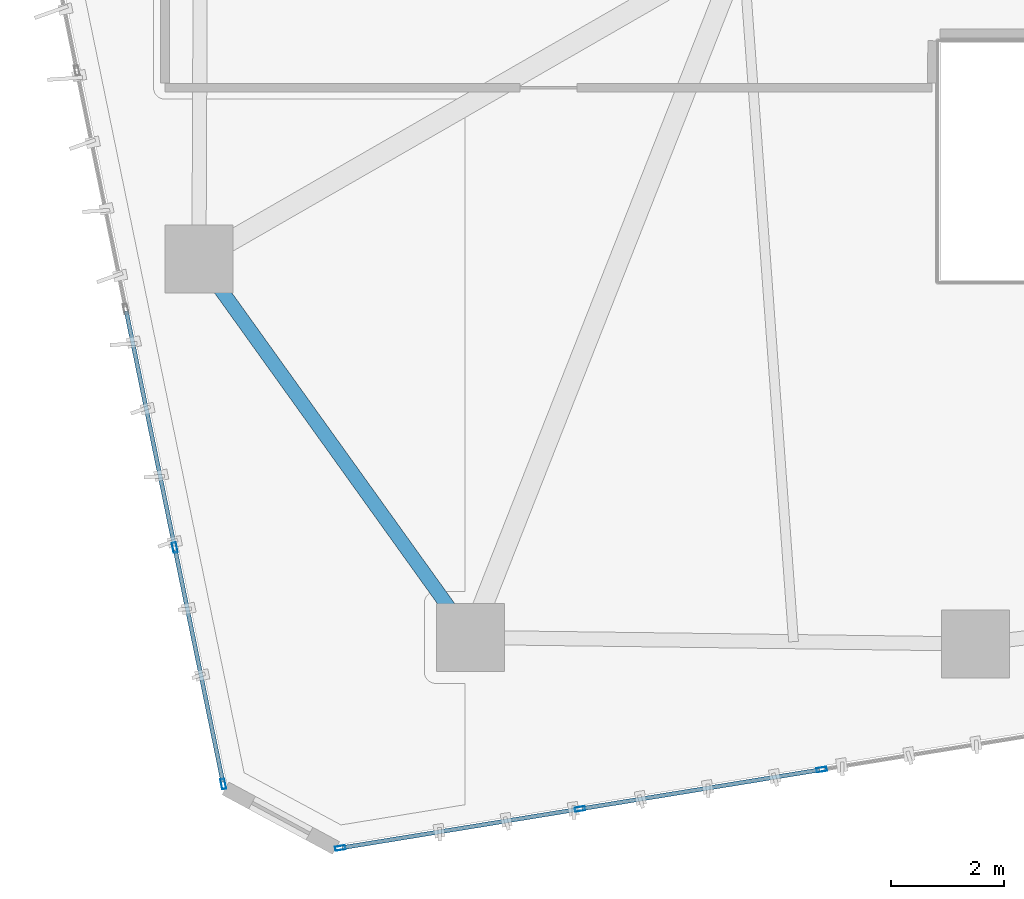
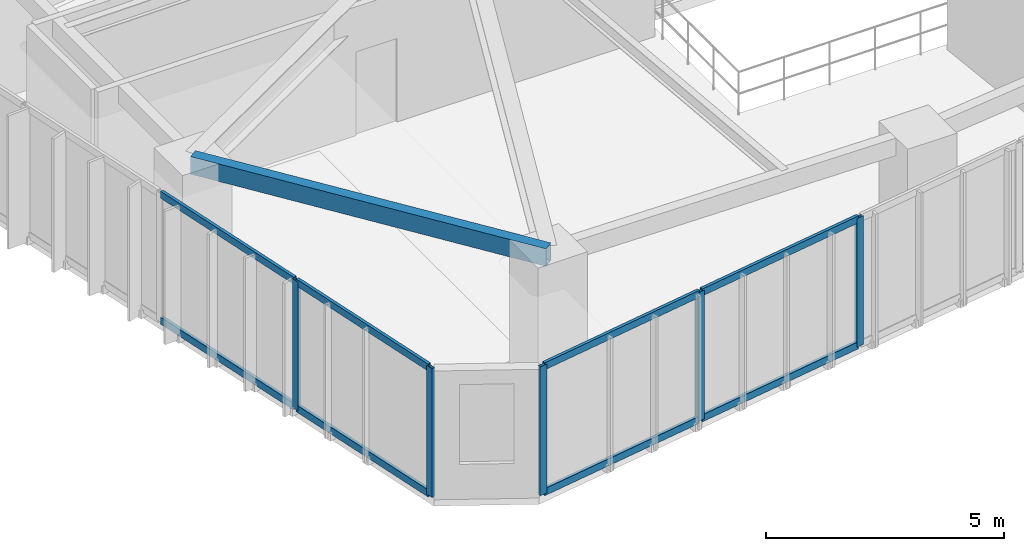
# One storey, part 2 of 23: 13 members, 1 beam, 2 elements without a shape of their own.
"""IFC4 building model written with IfcOpenShell, lengths in metres."""

from ifc_helpers import new_model, si_unit, direction, frame, origin, origin_2d, place, context, subcontext, project, spatial, hollow_rectangle, extrude, source, transform, mapped, material, layer, layer_set, material_profile, profile_set, type_object, type_shapes, element, aggregate, save


model = new_model("IFC4")

# Units and contexts
model_context = context("Model", 3, precision=1e-05, world=origin(), true_north=direction((0.0, 1.0)))
body_context = subcontext(model_context, "Body", "Model", "MODEL_VIEW")
ifc_project = project(units=[si_unit("LENGTHUNIT", "METRE"), si_unit("AREAUNIT", "SQUARE_METRE"), si_unit("VOLUMEUNIT", "CUBIC_METRE"), si_unit("PLANEANGLEUNIT", "RADIAN"), si_unit("MASSUNIT", "GRAM", prefix="KILO")], contexts=[model_context])

# Site, building, storey
site_placement = place(None, origin())
site = spatial("IfcSite", under=ifc_project, at=site_placement, CompositionType="ELEMENT")
building_placement = place(site_placement, origin())
building = spatial("IfcBuilding", under=site, at=building_placement, Name="Talar Marvaseh", CompositionType="ELEMENT")
storey_placement = place(building_placement, frame((0.0, 0.0, 118.199951171875)))
storey = spatial("IfcBuildingStorey", under=building, at=storey_placement, Name="L30", CompositionType="ELEMENT", Elevation=118.199951171875)

# Beam
ifc_material_1 = material(Name="Steel S355", Category="steel")
ifc_material_profile_1 = material_profile(ifc_material_1, hollow_rectangle(XDim=0.25, YDim=0.449951171875, WallThickness=0.01611328125, at=origin_2d()), Name="RHS450x250x16")
ifc_profile_set_1 = profile_set([ifc_material_profile_1], Name="Steel S355")
beam_type = type_object("IfcBeamType", Name="Zone 2 Perimeter Spandrel Beam RHS450x250x16", PredefinedType="SPANDREL", material=ifc_profile_set_1)
beam_placement = place(storey_placement, frame((13.89111328125, 13.299072265625, 3.0849609375), z_axis=(-0.582852871994, 0.812577706812, 0.0), x_axis=(-0.812577706812, -0.582852871994, 0.0)))
element("IfcBeam", 1, at=beam_placement, inside=storey, type_object=beam_type, Name="L30 Zone 2 Perimeter Spandrel Beam RHS450x250x16", PredefinedType="SPANDREL", context=body_context, shape_type="SweptSolid", body=[
    extrude(hollow_rectangle(XDim=0.25, YDim=0.449951171875, WallThickness=0.01611328125, at=origin_2d()), origin(), (0.0, 0.0, 1.0), 8.21826171875),
])

# Curtain wall, members
ifc_material_2 = material(Name="Architectural Aluminium", Category="aluminium")
ifc_layer = layer(ifc_material_2, 0.199951171875)
ifc_layer_set = layer_set([ifc_layer], Name="Architectural Aluminium")
curtain_wall_type = type_object("IfcCurtainWallType", Name="Unitised Acoustic Library Curtain Wall Z2", PredefinedType="NOTDEFINED", material=ifc_layer_set)
curtain_wall_1_placement = place(storey_placement, origin())
curtain_wall_1 = element("IfcCurtainWall", 2, at=curtain_wall_1_placement, inside=storey, type_object=curtain_wall_type, Name="L30 Unitised Acoustic Library Curtain Wall Z2", PredefinedType="NOTDEFINED")
ifc_material_profile_2 = material_profile(ifc_material_2, hollow_rectangle(XDim=0.074951171875, YDim=0.179931640625, WallThickness=0.0048828125, at=origin_2d()), Name="RHS180x75x5")
ifc_profile_set_2 = profile_set([ifc_material_profile_2], Name="Architectural Aluminium")
member_type_1 = type_object("IfcMemberType", Name="Unitised Curtain Wall Standard Mullion RHS180x75x5", PredefinedType="MULLION", material=ifc_profile_set_2)
shared_shape_1 = source(origin(), body_context, "Body", "SweptSolid", [
    extrude(hollow_rectangle(XDim=0.074951171875, YDim=0.179931640625, WallThickness=0.0048828125, at=origin_2d()), origin(), (0.0, 0.0, 1.0), 3.31005859375),
])
type_shapes(member_type_1, [shared_shape_1])
member_1_placement = place(storey_placement, frame((9.531005859375, 10.711669921875, 0.0), z_axis=(0.0, 0.0, 1.0), x_axis=(-0.979588987607, -0.201010983182, 0.0)))
member_1 = element("IfcMember", 3, at=member_1_placement, type_object=member_type_1, Name="CW-Z2 mullion 1", PredefinedType="MULLION", context=body_context, shape_type="MappedRepresentation", body=[
    mapped(shared_shape_1, transform((0.0, 0.0, 0.0), x_axis=(1.0, 0.0, 0.0), y_axis=(0.0, 1.0, 0.0), z_axis=(0.0, 0.0, 1.0), scale=1.0)),
])
member_2_placement = place(storey_placement, frame((8.674560546875, 14.88525390625, 0.0), z_axis=(0.0, 0.0, 1.0), x_axis=(-0.979588987607, -0.201010983182, 0.0)))
member_2 = element("IfcMember", 4, at=member_2_placement, type_object=member_type_1, Name="CW-Z2 mullion 2", PredefinedType="MULLION", context=body_context, shape_type="MappedRepresentation", body=[
    mapped(shared_shape_1, transform((0.0, 0.0, 0.0), x_axis=(1.0, 0.0, 0.0), y_axis=(0.0, 1.0, 0.0), z_axis=(0.0, 0.0, 1.0), scale=1.0)),
])

curtain_wall_2_placement = place(storey_placement, origin())
curtain_wall_2 = element("IfcCurtainWall", 5, at=curtain_wall_2_placement, inside=storey, type_object=curtain_wall_type, Name="L30 Unitised Acoustic Library Curtain Wall Z2", PredefinedType="NOTDEFINED")
member_3_placement = place(storey_placement, frame((20.092529296875, 10.967529296875, 0.0), z_axis=(0.0, 0.0, 1.0), x_axis=(0.160891802029, -0.986972050283, 0.0)))
member_3 = element("IfcMember", 6, at=member_3_placement, type_object=member_type_1, Name="CW-Z2 mullion 4", PredefinedType="MULLION", context=body_context, shape_type="MappedRepresentation", body=[
    mapped(shared_shape_1, transform((0.0, 0.0, 0.0), x_axis=(1.0, 0.0, 0.0), y_axis=(0.0, 1.0, 0.0), z_axis=(0.0, 0.0, 1.0), scale=1.0)),
])
member_4_placement = place(storey_placement, frame((15.825439453125, 10.27197265625, 0.0), z_axis=(0.0, 0.0, 1.0), x_axis=(0.160891802029, -0.986972050283, 0.0)))
member_4 = element("IfcMember", 7, at=member_4_placement, type_object=member_type_1, Name="CW-Z2 mullion 5", PredefinedType="MULLION", context=body_context, shape_type="MappedRepresentation", body=[
    mapped(shared_shape_1, transform((0.0, 0.0, 0.0), x_axis=(1.0, 0.0, 0.0), y_axis=(0.0, 1.0, 0.0), z_axis=(0.0, 0.0, 1.0), scale=1.0)),
])
member_5_placement = place(storey_placement, frame((11.59521484375, 9.582275390625, 0.0), z_axis=(0.0, 0.0, 1.0), x_axis=(0.160891802029, -0.986972050283, 0.0)))
member_5 = element("IfcMember", 8, at=member_5_placement, type_object=member_type_1, Name="CW-Z2 mullion 6", PredefinedType="MULLION", context=body_context, shape_type="MappedRepresentation", body=[
    mapped(shared_shape_1, transform((0.0, 0.0, 0.0), x_axis=(1.0, 0.0, 0.0), y_axis=(0.0, 1.0, 0.0), z_axis=(0.0, 0.0, 1.0), scale=1.0)),
])

# Member
ifc_material_profile_3 = material_profile(ifc_material_2, hollow_rectangle(XDim=0.074951171875, YDim=0.179931640625, WallThickness=0.0048828125, at=origin_2d()), Name="RHS180x75x5")
ifc_profile_set_3 = profile_set([ifc_material_profile_3], Name="Architectural Aluminium")
member_type_2 = type_object("IfcMemberType", Name="Unitised Curtain Wall Transom RHS180x75x5", PredefinedType="USERDEFINED", material=ifc_profile_set_3)
shared_shape_2 = source(origin(), body_context, "Body", "SweptSolid", [
    extrude(hollow_rectangle(XDim=0.074951171875, YDim=0.179931640625, WallThickness=0.0048828125, at=origin_2d()), origin(), (0.0, 0.0, 1.0), 4.185302734375),
])
member_6_placement = place(storey_placement, frame((9.5234375, 10.74853515625, 0.03759765625), z_axis=(-0.201015909473, 0.979587976722, 0.0), x_axis=(-0.979587976722, -0.201015909473, 0.0)))
member_6 = element("IfcMember", 9, at=member_6_placement, type_object=member_type_2, Name="CW-Z2 transom 1.1", ObjectType="TRANSOM", PredefinedType="USERDEFINED", context=body_context, shape_type="MappedRepresentation", body=[
    mapped(shared_shape_2, transform((0.0, 0.0, 0.0), x_axis=(1.0, 0.0, 0.0), y_axis=(0.0, 1.0, 0.0), z_axis=(0.0, 0.0, 1.0), scale=1.0)),
])

member_7_placement = place(storey_placement, frame((9.5234375, 10.74853515625, 3.2724609375), z_axis=(-0.201015909473, 0.979587976722, 0.0), x_axis=(-0.979587976722, -0.201015909473, 0.0)))
member_7 = element("IfcMember", 10, at=member_7_placement, type_object=member_type_2, Name="CW-Z2 transom 1.2", ObjectType="TRANSOM", PredefinedType="USERDEFINED", context=body_context, shape_type="MappedRepresentation", body=[
    mapped(shared_shape_2, transform((0.0, 0.0, 0.0), x_axis=(1.0, 0.0, 0.0), y_axis=(0.0, 1.0, 0.0), z_axis=(0.0, 0.0, 1.0), scale=1.0)),
])

shared_shape_3 = source(origin(), body_context, "Body", "SweptSolid", [
    extrude(hollow_rectangle(XDim=0.074951171875, YDim=0.179931640625, WallThickness=0.0048828125, at=origin_2d()), origin(), (0.0, 0.0, 1.0), 4.222900390625),
])
member_8_placement = place(storey_placement, frame((8.6669921875, 14.921875, 0.03759765625), z_axis=(-0.201016692424, 0.979587816057, 0.0), x_axis=(-0.979587816057, -0.201016692424, 0.0)))
member_8 = element("IfcMember", 11, at=member_8_placement, type_object=member_type_2, Name="CW-Z2 transom 2.1", ObjectType="TRANSOM", PredefinedType="USERDEFINED", context=body_context, shape_type="MappedRepresentation", body=[
    mapped(shared_shape_3, transform((0.0, 0.0, 0.0), x_axis=(1.0, 0.0, 0.0), y_axis=(0.0, 1.0, 0.0), z_axis=(0.0, 0.0, 1.0), scale=1.0)),
])

member_9_placement = place(storey_placement, frame((8.6669921875, 14.921875, 3.2724609375), z_axis=(-0.201016692424, 0.979587816057, 0.0), x_axis=(-0.979587816057, -0.201016692424, 0.0)))
member_9 = element("IfcMember", 12, at=member_9_placement, type_object=member_type_2, Name="CW-Z2 transom 2.2", ObjectType="TRANSOM", PredefinedType="USERDEFINED", context=body_context, shape_type="MappedRepresentation", body=[
    mapped(shared_shape_3, transform((0.0, 0.0, 0.0), x_axis=(1.0, 0.0, 0.0), y_axis=(0.0, 1.0, 0.0), z_axis=(0.0, 0.0, 1.0), scale=1.0)),
])

aggregate(curtain_wall_1, [member_1, member_2, member_6, member_7, member_8, member_9])

shared_shape_4 = source(origin(), body_context, "Body", "SweptSolid", [
    extrude(hollow_rectangle(XDim=0.074951171875, YDim=0.179931640625, WallThickness=0.0048828125, at=origin_2d()), origin(), (0.0, 0.0, 1.0), 4.2109375),
])
member_10_placement = place(storey_placement, frame((15.788330078125, 10.265869140625, 0.03759765625), z_axis=(-0.98697217814, -0.160891017702, 0.0), x_axis=(0.160891017702, -0.98697217814, 0.0)))
member_10 = element("IfcMember", 13, at=member_10_placement, type_object=member_type_2, Name="CW-Z2 transom 5.1", ObjectType="TRANSOM", PredefinedType="USERDEFINED", context=body_context, shape_type="MappedRepresentation", body=[
    mapped(shared_shape_4, transform((0.0, 0.0, 0.0), x_axis=(1.0, 0.0, 0.0), y_axis=(0.0, 1.0, 0.0), z_axis=(0.0, 0.0, 1.0), scale=1.0)),
])

member_11_placement = place(storey_placement, frame((15.788330078125, 10.265869140625, 3.2724609375), z_axis=(-0.98697217814, -0.160891017702, 0.0), x_axis=(0.160891017702, -0.98697217814, 0.0)))
member_11 = element("IfcMember", 14, at=member_11_placement, type_object=member_type_2, Name="CW-Z2 transom 5.2", ObjectType="TRANSOM", PredefinedType="USERDEFINED", context=body_context, shape_type="MappedRepresentation", body=[
    mapped(shared_shape_4, transform((0.0, 0.0, 0.0), x_axis=(1.0, 0.0, 0.0), y_axis=(0.0, 1.0, 0.0), z_axis=(0.0, 0.0, 1.0), scale=1.0)),
])

shared_shape_5 = source(origin(), body_context, "Body", "SweptSolid", [
    extrude(hollow_rectangle(XDim=0.074951171875, YDim=0.179931640625, WallThickness=0.0048828125, at=origin_2d()), origin(), (0.0, 0.0, 1.0), 4.248779296875),
])
type_shapes(member_type_2, [shared_shape_2, shared_shape_3, shared_shape_4, shared_shape_5])
member_12_placement = place(storey_placement, frame((20.0556640625, 10.96142578125, 0.03759765625), z_axis=(-0.986971642112, -0.160894305887, 0.0), x_axis=(0.160894305887, -0.986971642112, 0.0)))
member_12 = element("IfcMember", 15, at=member_12_placement, type_object=member_type_2, Name="CW-Z2 transom 4.1", ObjectType="TRANSOM", PredefinedType="USERDEFINED", context=body_context, shape_type="MappedRepresentation", body=[
    mapped(shared_shape_5, transform((0.0, 0.0, 0.0), x_axis=(1.0, 0.0, 0.0), y_axis=(0.0, 1.0, 0.0), z_axis=(0.0, 0.0, 1.0), scale=1.0)),
])

member_13_placement = place(storey_placement, frame((20.0556640625, 10.96142578125, 3.2724609375), z_axis=(-0.986971642112, -0.160894305887, 0.0), x_axis=(0.160894305887, -0.986971642112, 0.0)))
member_13 = element("IfcMember", 16, at=member_13_placement, type_object=member_type_2, Name="CW-Z2 transom 4.2", ObjectType="TRANSOM", PredefinedType="USERDEFINED", context=body_context, shape_type="MappedRepresentation", body=[
    mapped(shared_shape_5, transform((0.0, 0.0, 0.0), x_axis=(1.0, 0.0, 0.0), y_axis=(0.0, 1.0, 0.0), z_axis=(0.0, 0.0, 1.0), scale=1.0)),
])

aggregate(curtain_wall_2, [member_3, member_4, member_5, member_12, member_13, member_10, member_11])

save(model, "model.ifc")
